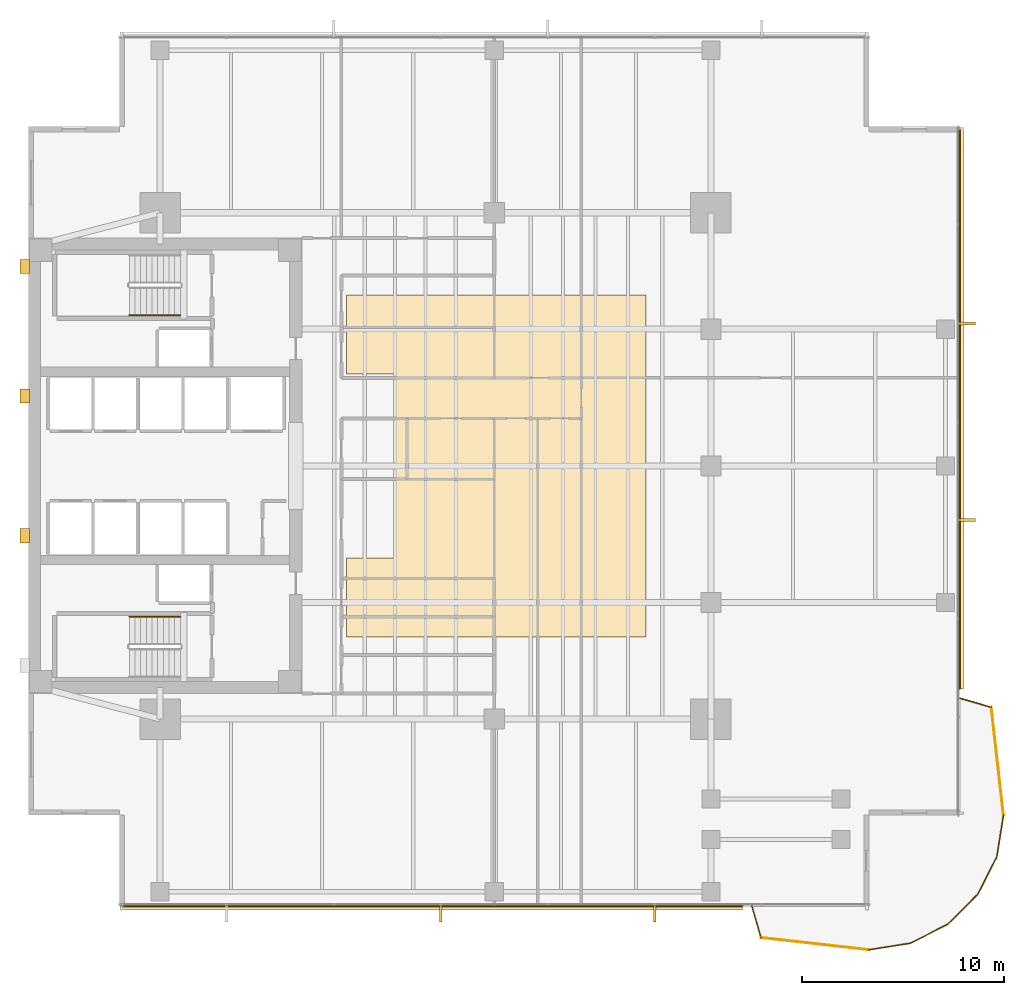
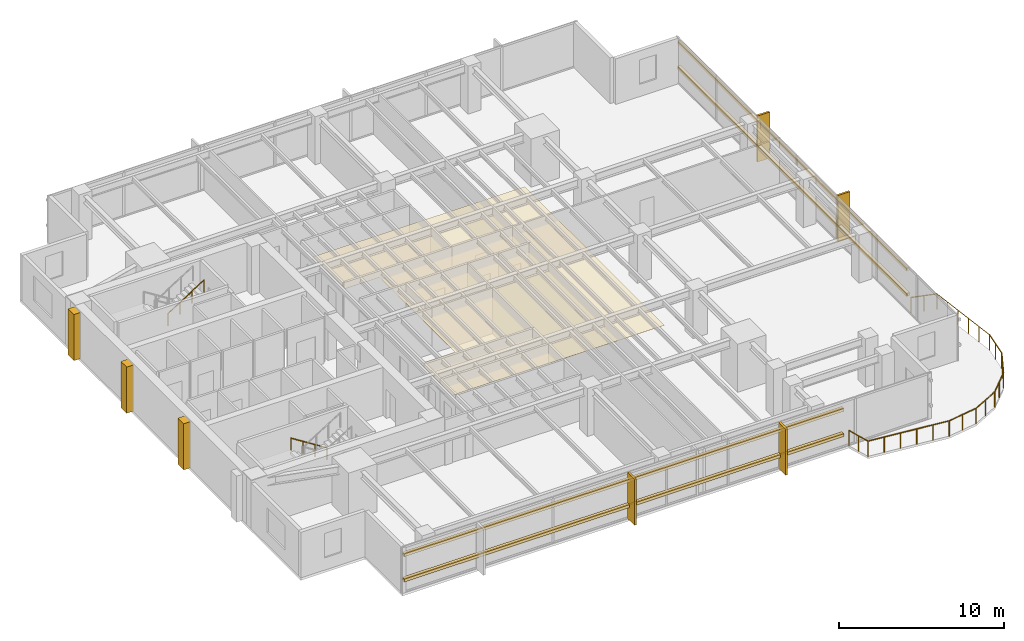
# One storey, part 12 of 14: 12 coverings, 11 railings, 4 shading devices.
"""IFC4 building model written with IfcOpenShell, lengths in metres."""

from ifc_helpers import new_model, si_unit, direction, frame, origin, origin_2d, place, context, subcontext, project, spatial, polyline, rectangle, circle, outline, extrude, material, layer, layer_set, material_profile, profile_set, type_object, element, save


model = new_model("IFC4")

# Units and contexts
model_context = context("Model", 3, precision=1e-05, world=origin(), true_north=direction((0.0, 1.0)))
body_context = subcontext(model_context, "Body", "Model", "MODEL_VIEW")
ifc_project = project(units=[si_unit("LENGTHUNIT", "METRE"), si_unit("AREAUNIT", "SQUARE_METRE"), si_unit("VOLUMEUNIT", "CUBIC_METRE"), si_unit("PLANEANGLEUNIT", "RADIAN"), si_unit("MASSUNIT", "GRAM", prefix="KILO")], contexts=[model_context])

# Site, building, storey
site_placement = place(None, origin())
site = spatial("IfcSite", under=ifc_project, at=site_placement, CompositionType="ELEMENT")
building_placement = place(site_placement, origin())
building = spatial("IfcBuilding", under=site, at=building_placement, Name="Kinhvarn Gate Tower", CompositionType="ELEMENT")
storey_placement = place(building_placement, frame((0.0, 0.0, 162.60009765625)))
storey = spatial("IfcBuildingStorey", under=building, at=storey_placement, Name="L43", CompositionType="ELEMENT", Elevation=162.60009765625)

# Coverings
ifc_material_1 = material(Name="Fired architectural terracotta", Category="masonry")
ifc_layer_1 = layer(ifc_material_1, 0.239990234375)
ifc_layer_set_1 = layer_set([ifc_layer_1], Name="Fired architectural terracotta")
covering_type_1 = type_object("IfcCoveringType", Name="COV-BAG-220", PredefinedType="CLADDING", material=ifc_layer_set_1)
for number, where, name in (
    (1, (0.0, 0.0, 0.93994140625), "Terracotta Horizontal Sunscreen Band TBG-220 (L43)"),
    (2, (0.0, 0.0, 2.809814453125), "Terracotta Horizontal Sunscreen Band TBG-220 (L43)"),
):
    element("IfcCovering", number, at=place(storey_placement, frame(where)), inside=storey, type_object=covering_type_1, Name=name, PredefinedType="CLADDING", context=body_context, shape_type="SweptSolid", body=[
        extrude(outline(polyline([(9.0400390625, 3.570068359375), (39.77099609375, 3.570068359375), (39.77099609375, 3.330078125), (9.0400390625, 3.330078125), (9.0400390625, 3.570068359375)])), origin(), (0.0, 0.0, 1.0), 0.219970703125),
    ])
for number, where, name in (
    (3, (0.0, 0.0, 0.93994140625), "Terracotta Horizontal Sunscreen Band TBG-220 (L43)"),
    (4, (0.0, 0.0, 2.809814453125), "Terracotta Horizontal Sunscreen Band TBG-220 (L43)"),
):
    element("IfcCovering", number, at=place(storey_placement, frame(where)), inside=storey, type_object=covering_type_1, Name=name, PredefinedType="CLADDING", context=body_context, shape_type="SweptSolid", body=[
        extrude(outline(polyline([(50.429931640625, 14.22900390625), (50.429931640625, 41.9599609375), (50.669921875, 41.9599609375), (50.669921875, 14.22900390625), (50.429931640625, 14.22900390625)])), origin(), (0.0, 0.0, 1.0), 0.219970703125),
    ])
ifc_material_2 = material(Name="Mineral-fibre acoustic ceiling tile")
ifc_layer_2 = layer(ifc_material_2, 0.02001953125)
ifc_layer_set_2 = layer_set([ifc_layer_2], Name="Mineral-fibre acoustic ceiling tile")
covering_type_2 = type_object("IfcCoveringType", Name="COV-CEIL-20", PredefinedType="CEILING", material=ifc_layer_set_2)
covering_1_placement = place(storey_placement, frame((0.0, 0.0, 2.64990234375)))
element("IfcCovering", 5, at=covering_1_placement, inside=storey, type_object=covering_type_2, Name="Suspended Acoustic Ceiling Tile (L43-1)", PredefinedType="CEILING", context=body_context, shape_type="SweptSolid", body=[
    extrude(outline(polyline([(35.0, 33.699951171875), (35.0, 16.800048828125), (20.199951171875, 16.800048828125), (20.199951171875, 20.699951171875), (22.60009765625, 20.699951171875), (22.60009765625, 29.800048828125), (20.199951171875, 29.800048828125), (20.199951171875, 33.699951171875), (35.0, 33.699951171875)])), origin(), (0.0, 0.0, 1.0), 0.02001953125),
])
ifc_layer_3 = layer(ifc_material_1, 0.139892578125)
ifc_layer_set_3 = layer_set([ifc_layer_3], Name="Fired architectural terracotta")
covering_type_3 = type_object("IfcCoveringType", Name="COV-FIN-850", PredefinedType="CLADDING", material=ifc_layer_set_3)
covering_2_placement = place(storey_placement, frame((0.0, 0.0, -0.02001953125)))
element("IfcCovering", 6, at=covering_2_placement, inside=storey, type_object=covering_type_3, Name="Vertical Terracotta Expressive Fin TFN-850 (L43)", PredefinedType="CLADDING", context=body_context, shape_type="SweptSolid", body=[
    extrude(outline(polyline([(24.787109375, 3.580078125), (24.927001953125, 3.580078125), (24.927001953125, 2.72998046875), (24.787109375, 2.72998046875), (24.787109375, 3.580078125)])), origin(), (0.0, 0.0, 1.0), 3.409912109375),
])
covering_3_placement = place(storey_placement, frame((0.0, 0.0, -0.02001953125)))
element("IfcCovering", 7, at=covering_3_placement, inside=storey, type_object=covering_type_3, Name="Vertical Terracotta Expressive Fin TFN-850 (L43)", PredefinedType="CLADDING", context=body_context, shape_type="SweptSolid", body=[
    extrude(outline(polyline([(35.358642578125, 3.580078125), (35.49853515625, 3.580078125), (35.49853515625, 2.72998046875), (35.358642578125, 2.72998046875), (35.358642578125, 3.580078125)])), origin(), (0.0, 0.0, 1.0), 3.409912109375),
])
covering_4_placement = place(storey_placement, frame((0.0, 0.0, -0.02001953125)))
element("IfcCovering", 8, at=covering_4_placement, inside=storey, type_object=covering_type_3, Name="Vertical Terracotta Expressive Fin TFN-850 (L43)", PredefinedType="CLADDING", context=body_context, shape_type="SweptSolid", body=[
    extrude(outline(polyline([(50.419921875, 22.50146484375), (50.419921875, 22.641357421875), (51.27001953125, 22.641357421875), (51.27001953125, 22.50146484375), (50.419921875, 22.50146484375)])), origin(), (0.0, 0.0, 1.0), 3.409912109375),
])
covering_5_placement = place(storey_placement, frame((0.0, 0.0, -0.02001953125)))
element("IfcCovering", 9, at=covering_5_placement, inside=storey, type_object=covering_type_3, Name="Vertical Terracotta Expressive Fin TFN-850 (L43)", PredefinedType="CLADDING", context=body_context, shape_type="SweptSolid", body=[
    extrude(outline(polyline([(50.419921875, 32.2158203125), (50.419921875, 32.355712890625), (51.27001953125, 32.355712890625), (51.27001953125, 32.2158203125), (50.419921875, 32.2158203125)])), origin(), (0.0, 0.0, 1.0), 3.409912109375),
])
ifc_material_3 = material(Name="Precast white architectural concrete C40/50", Category="concrete")
ifc_layer_4 = layer(ifc_material_3, 0.47998046875)
ifc_layer_set_4 = layer_set([ifc_layer_4], Name="Precast white architectural concrete C40/50")
covering_type_4 = type_object("IfcCoveringType", Name="COV-RIB-450", PredefinedType="CLADDING", material=ifc_layer_set_4)
covering_6_placement = place(storey_placement, frame((0.0, 0.0, -0.02001953125)))
element("IfcCovering", 10, at=covering_6_placement, inside=storey, type_object=covering_type_4, Name="West Core Sculptural Concrete Relief Rib CRB-450 (L43)", PredefinedType="CLADDING", context=body_context, shape_type="SweptSolid", body=[
    extrude(outline(polyline([(4.080078125, 21.449951171875), (4.56005859375, 21.449951171875), (4.56005859375, 22.14990234375), (4.080078125, 22.14990234375), (4.080078125, 21.449951171875)])), origin(), (0.0, 0.0, 1.0), 3.409912109375),
])
covering_7_placement = place(storey_placement, frame((0.0, 0.0, -0.02001953125)))
element("IfcCovering", 11, at=covering_7_placement, inside=storey, type_object=covering_type_4, Name="West Core Sculptural Concrete Relief Rib CRB-450 (L43)", PredefinedType="CLADDING", context=body_context, shape_type="SweptSolid", body=[
    extrude(outline(polyline([(4.080078125, 28.35009765625), (4.56005859375, 28.35009765625), (4.56005859375, 29.050048828125), (4.080078125, 29.050048828125), (4.080078125, 28.35009765625)])), origin(), (0.0, 0.0, 1.0), 3.409912109375),
])
covering_8_placement = place(storey_placement, frame((0.0, 0.0, -0.02001953125)))
element("IfcCovering", 12, at=covering_8_placement, inside=storey, type_object=covering_type_4, Name="West Core Sculptural Concrete Relief Rib CRB-450 (L43)", PredefinedType="CLADDING", context=body_context, shape_type="SweptSolid", body=[
    extrude(outline(polyline([(4.080078125, 34.75), (4.56005859375, 34.75), (4.56005859375, 35.449951171875), (4.080078125, 35.449951171875), (4.080078125, 34.75)])), origin(), (0.0, 0.0, 1.0), 3.409912109375),
])

# Railings
ifc_material_4 = material(Name="Clear low-e double glazing", Category="glass")
railing_type_1 = type_object("IfcRailingType", Name="RL-BAL-1150", PredefinedType="BALUSTRADE", material=ifc_material_4)
railing_1_placement = place(storey_placement, frame((40.220947265625, 3.5, 0.0)))
element("IfcRailing", 13, at=railing_1_placement, inside=storey, type_object=railing_type_1, Name="S-Carve Balcony Guardrail Seg 1 (L43)", PredefinedType="BALUSTRADE", context=body_context, shape_type="SweptSolid", body=[
    extrude(circle(Radius=0.02392578125, at=origin_2d()), frame((0.0, 0.0, 1.1259765625), z_axis=(0.279098523132, -0.960262471612, 0.0), x_axis=(0.960262471612, 0.279098523132, 0.0)), (0.0, 0.0, 1.0), 1.612060546875),
    extrude(circle(Radius=0.02099609375, at=origin_2d()), origin(), (0.0, 0.0, 1.0), 1.101806640625),
    extrude(circle(Radius=0.02099609375, at=origin_2d()), frame((0.22509765625, -0.77392578125, 0.0)), (0.0, 0.0, 1.0), 1.101806640625),
    extrude(circle(Radius=0.02099609375, at=origin_2d()), frame((0.449951171875, -1.548095703125, 0.0)), (0.0, 0.0, 1.0), 1.101806640625),
])
railing_2_placement = place(storey_placement, frame((40.6708984375, 1.951904296875, 0.0)))
element("IfcRailing", 14, at=railing_2_placement, inside=storey, type_object=railing_type_1, Name="S-Carve Balcony Guardrail Seg 2 (L43)", PredefinedType="BALUSTRADE", context=body_context, shape_type="SweptSolid", body=[
    extrude(circle(Radius=0.02392578125, at=origin_2d()), frame((0.0, 0.0, 1.1259765625), z_axis=(0.993683940848, -0.112215086778, 0.0), x_axis=(0.112215086778, 0.993683940848, 0.0)), (0.0, 0.0, 1.0), 5.363037109375),
    extrude(circle(Radius=0.02099609375, at=origin_2d()), origin(), (0.0, 0.0, 1.0), 1.101806640625),
    extrude(circle(Radius=0.02099609375, at=origin_2d()), frame((1.06591796875, -0.120361328125, 0.0)), (0.0, 0.0, 1.0), 1.101806640625),
    extrude(circle(Radius=0.02099609375, at=origin_2d()), frame((2.131591796875, -0.24072265625, 0.0)), (0.0, 0.0, 1.0), 1.101806640625),
    extrude(circle(Radius=0.02099609375, at=origin_2d()), frame((3.197509765625, -0.361083984375, 0.0)), (0.0, 0.0, 1.0), 1.101806640625),
    extrude(circle(Radius=0.02099609375, at=origin_2d()), frame((4.26318359375, -0.4814453125, 0.0)), (0.0, 0.0, 1.0), 1.101806640625),
    extrude(circle(Radius=0.02099609375, at=origin_2d()), frame((5.3291015625, -0.601806640625, 0.0)), (0.0, 0.0, 1.0), 1.101806640625),
])
railing_3_placement = place(storey_placement, frame((46.0, 1.35009765625, 0.0)))
element("IfcRailing", 15, at=railing_3_placement, inside=storey, type_object=railing_type_1, Name="S-Carve Balcony Guardrail Seg 3 (L43)", PredefinedType="BALUSTRADE", context=body_context, shape_type="SweptSolid", body=[
    extrude(circle(Radius=0.02392578125, at=origin_2d()), frame((0.0, 0.0, 1.1259765625), z_axis=(0.987690549443, 0.156420518285, 0.0), x_axis=(-0.156420518285, 0.987690549443, 0.0)), (0.0, 0.0, 1.0), 2.08056640625),
    extrude(circle(Radius=0.02099609375, at=origin_2d()), origin(), (0.0, 0.0, 1.0), 1.101806640625),
    extrude(circle(Radius=0.02099609375, at=origin_2d()), frame((1.02734375, 0.16259765625, 0.0)), (0.0, 0.0, 1.0), 1.101806640625),
    extrude(circle(Radius=0.02099609375, at=origin_2d()), frame((2.054931640625, 0.325439453125, 0.0)), (0.0, 0.0, 1.0), 1.101806640625),
])
railing_4_placement = place(storey_placement, frame((48.054931640625, 1.675537109375, 0.0)))
element("IfcRailing", 16, at=railing_4_placement, inside=storey, type_object=railing_type_1, Name="S-Carve Balcony Guardrail Seg 4 (L43)", PredefinedType="BALUSTRADE", context=body_context, shape_type="SweptSolid", body=[
    extrude(circle(Radius=0.02392578125, at=origin_2d()), frame((0.0, 0.0, 1.1259765625), z_axis=(0.890998299828, 0.454006640594, 0.0), x_axis=(-0.454006640594, 0.890998299828, 0.0)), (0.0, 0.0, 1.0), 2.08056640625),
    extrude(circle(Radius=0.02099609375, at=origin_2d()), origin(), (0.0, 0.0, 1.0), 1.101806640625),
    extrude(circle(Radius=0.02099609375, at=origin_2d()), frame((0.9267578125, 0.47216796875, 0.0)), (0.0, 0.0, 1.0), 1.101806640625),
    extrude(circle(Radius=0.02099609375, at=origin_2d()), frame((1.853759765625, 0.944580078125, 0.0)), (0.0, 0.0, 1.0), 1.101806640625),
])
railing_5_placement = place(storey_placement, frame((49.90869140625, 2.6201171875, 0.0)))
element("IfcRailing", 17, at=railing_5_placement, inside=storey, type_object=railing_type_1, Name="S-Carve Balcony Guardrail Seg 5 (L43)", PredefinedType="BALUSTRADE", context=body_context, shape_type="SweptSolid", body=[
    extrude(circle(Radius=0.02392578125, at=origin_2d()), frame((0.0, 0.0, 1.1259765625), z_axis=(0.707106781187, 0.707106781187, 0.0), x_axis=(-0.707106781187, 0.707106781187, 0.0)), (0.0, 0.0, 1.0), 2.08056640625),
    extrude(circle(Radius=0.02099609375, at=origin_2d()), origin(), (0.0, 0.0, 1.0), 1.101806640625),
    extrude(circle(Radius=0.02099609375, at=origin_2d()), frame((0.735595703125, 0.735595703125, 0.0)), (0.0, 0.0, 1.0), 1.101806640625),
    extrude(circle(Radius=0.02099609375, at=origin_2d()), frame((1.47119140625, 1.47119140625, 0.0)), (0.0, 0.0, 1.0), 1.101806640625),
])
railing_6_placement = place(storey_placement, frame((51.3798828125, 4.09130859375, 0.0)))
element("IfcRailing", 18, at=railing_6_placement, inside=storey, type_object=railing_type_1, Name="S-Carve Balcony Guardrail Seg 6 (L43)", PredefinedType="BALUSTRADE", context=body_context, shape_type="SweptSolid", body=[
    extrude(circle(Radius=0.02392578125, at=origin_2d()), frame((0.0, 0.0, 1.1259765625), z_axis=(0.454006640594, 0.890998299828, 0.0), x_axis=(-0.890998299828, 0.454006640594, 0.0)), (0.0, 0.0, 1.0), 2.08056640625),
    extrude(circle(Radius=0.02099609375, at=origin_2d()), origin(), (0.0, 0.0, 1.0), 1.101806640625),
    extrude(circle(Radius=0.02099609375, at=origin_2d()), frame((0.47216796875, 0.9267578125, 0.0)), (0.0, 0.0, 1.0), 1.101806640625),
    extrude(circle(Radius=0.02099609375, at=origin_2d()), frame((0.944580078125, 1.853759765625, 0.0)), (0.0, 0.0, 1.0), 1.101806640625),
])
railing_7_placement = place(storey_placement, frame((52.324462890625, 5.945068359375, 0.0)))
element("IfcRailing", 19, at=railing_7_placement, inside=storey, type_object=railing_type_1, Name="S-Carve Balcony Guardrail Seg 7 (L43)", PredefinedType="BALUSTRADE", context=body_context, shape_type="SweptSolid", body=[
    extrude(circle(Radius=0.02392578125, at=origin_2d()), frame((0.0, 0.0, 1.1259765625), z_axis=(0.156420518285, 0.987690549443, 0.0), x_axis=(-0.987690549443, 0.156420518285, 0.0)), (0.0, 0.0, 1.0), 2.08056640625),
    extrude(circle(Radius=0.02099609375, at=origin_2d()), origin(), (0.0, 0.0, 1.0), 1.101806640625),
    extrude(circle(Radius=0.02099609375, at=origin_2d()), frame((0.16259765625, 1.02734375, 0.0)), (0.0, 0.0, 1.0), 1.101806640625),
    extrude(circle(Radius=0.02099609375, at=origin_2d()), frame((0.325439453125, 2.054931640625, 0.0)), (0.0, 0.0, 1.0), 1.101806640625),
])
railing_8_placement = place(storey_placement, frame((52.64990234375, 8.0, 0.0)))
element("IfcRailing", 20, at=railing_8_placement, inside=storey, type_object=railing_type_1, Name="S-Carve Balcony Guardrail Seg 8 (L43)", PredefinedType="BALUSTRADE", context=body_context, shape_type="SweptSolid", body=[
    extrude(circle(Radius=0.02392578125, at=origin_2d()), frame((0.0, 0.0, 1.1259765625), z_axis=(-0.112215086778, 0.993683940848, 0.0), x_axis=(-0.993683940848, -0.112215086778, 0.0)), (0.0, 0.0, 1.0), 5.363037109375),
    extrude(circle(Radius=0.02099609375, at=origin_2d()), origin(), (0.0, 0.0, 1.0), 1.101806640625),
    extrude(circle(Radius=0.02099609375, at=origin_2d()), frame((-0.120361328125, 1.06591796875, 0.0)), (0.0, 0.0, 1.0), 1.101806640625),
    extrude(circle(Radius=0.02099609375, at=origin_2d()), frame((-0.24072265625, 2.131591796875, 0.0)), (0.0, 0.0, 1.0), 1.101806640625),
    extrude(circle(Radius=0.02099609375, at=origin_2d()), frame((-0.361083984375, 3.197509765625, 0.0)), (0.0, 0.0, 1.0), 1.101806640625),
    extrude(circle(Radius=0.02099609375, at=origin_2d()), frame((-0.4814453125, 4.26318359375, 0.0)), (0.0, 0.0, 1.0), 1.101806640625),
    extrude(circle(Radius=0.02099609375, at=origin_2d()), frame((-0.601806640625, 5.3291015625, 0.0)), (0.0, 0.0, 1.0), 1.101806640625),
])
railing_9_placement = place(storey_placement, frame((52.048095703125, 13.3291015625, 0.0)))
element("IfcRailing", 21, at=railing_9_placement, inside=storey, type_object=railing_type_1, Name="S-Carve Balcony Guardrail Seg 9 (L43)", PredefinedType="BALUSTRADE", context=body_context, shape_type="SweptSolid", body=[
    extrude(circle(Radius=0.02392578125, at=origin_2d()), frame((0.0, 0.0, 1.1259765625), z_axis=(-0.960262471612, 0.279098523132, 0.0), x_axis=(-0.279098523132, -0.960262471612, 0.0)), (0.0, 0.0, 1.0), 1.612060546875),
    extrude(circle(Radius=0.02099609375, at=origin_2d()), origin(), (0.0, 0.0, 1.0), 1.101806640625),
    extrude(circle(Radius=0.02099609375, at=origin_2d()), frame((-0.77392578125, 0.22509765625, 0.0)), (0.0, 0.0, 1.0), 1.101806640625),
    extrude(circle(Radius=0.02099609375, at=origin_2d()), frame((-1.548095703125, 0.449951171875, 0.0)), (0.0, 0.0, 1.0), 1.101806640625),
])
ifc_material_5 = material(Name="Steel S355", Category="steel")
railing_type_2 = type_object("IfcRailingType", Name="RL-ST-HND", PredefinedType="HANDRAIL", material=ifc_material_5)
railing_10_placement = place(storey_placement, frame((12.0, 17.800048828125, 0.177490234375)))
element("IfcRailing", 22, at=railing_10_placement, inside=storey, type_object=railing_type_2, Name="L43 ST1 stair handrail 1", PredefinedType="HANDRAIL", context=body_context, shape_type="SweptSolid", body=[
    extrude(circle(Radius=0.02392578125, at=origin_2d()), frame((0.0, 0.0, 0.8759765625), z_axis=(-0.84460694969, 0.0, 0.535386869969), x_axis=(0.0, -1.0, 0.0)), (0.0, 0.0, 1.0), 2.983642578125),
    extrude(circle(Radius=0.02099609375, at=origin_2d()), origin(), (0.0, 0.0, 1.0), 0.851806640625),
    extrude(circle(Radius=0.02099609375, at=origin_2d()), frame((-0.840087890625, 0.0, 0.532470703125)), (0.0, 0.0, 1.0), 0.851806640625),
    extrude(circle(Radius=0.02099609375, at=origin_2d()), frame((-1.679931640625, 0.0, 1.06494140625)), (0.0, 0.0, 1.0), 0.851806640625),
    extrude(circle(Radius=0.02099609375, at=origin_2d()), frame((-2.52001953125, 0.0, 1.597412109375)), (0.0, 0.0, 1.0), 0.851806640625),
])
railing_11_placement = place(storey_placement, frame((9.47998046875, 32.699951171875, 1.952392578125)))
element("IfcRailing", 23, at=railing_11_placement, inside=storey, type_object=railing_type_2, Name="L43 ST2 stair handrail 2", PredefinedType="HANDRAIL", context=body_context, shape_type="SweptSolid", body=[
    extrude(circle(Radius=0.02392578125, at=origin_2d()), frame((0.0, 0.0, 0.8759765625), z_axis=(0.84460694969, 0.0, 0.535386869969), x_axis=(0.0, 1.0, 0.0)), (0.0, 0.0, 1.0), 2.983642578125),
    extrude(circle(Radius=0.02099609375, at=origin_2d()), origin(), (0.0, 0.0, 1.0), 0.851806640625),
    extrude(circle(Radius=0.02099609375, at=origin_2d()), frame((0.840087890625, 0.0, 0.532470703125)), (0.0, 0.0, 1.0), 0.851806640625),
    extrude(circle(Radius=0.02099609375, at=origin_2d()), frame((1.679931640625, 0.0, 1.06494140625)), (0.0, 0.0, 1.0), 0.851806640625),
    extrude(circle(Radius=0.02099609375, at=origin_2d()), frame((2.52001953125, 0.0, 1.597412109375)), (0.0, 0.0, 1.0), 0.851806640625),
])

# Shading devices
ifc_material_profile = material_profile(ifc_material_1, rectangle(XDim=0.050048828125, YDim=0.1201171875, at=origin_2d()), Name="TC 50x120")
ifc_profile_set = profile_set([ifc_material_profile], Name="Fired architectural terracotta")
shading_device_type = type_object("IfcShadingDeviceType", Name="SHD-BAG-140", PredefinedType="USERDEFINED", material=ifc_profile_set)
for number, where, z_axis, x_axis, name in (
    (24, (9.0400390625, 3.5, 1.0498046875), (1.0, 0.0, 0.0), (0.0, 1.0, 0.0), "Upper Tower Terracotta Baguette Screen Rod 50x120 mm (L43)"),
    (25, (9.0400390625, 3.5, 2.919921875), (1.0, 0.0, 0.0), (0.0, 1.0, 0.0), "Upper Tower Terracotta Baguette Screen Rod 50x120 mm (L43)"),
):
    element("IfcShadingDevice", number, at=place(storey_placement, frame(where, z_axis=z_axis, x_axis=x_axis)), inside=storey, type_object=shading_device_type, Name=name, ObjectType="BAGUETTE", PredefinedType="USERDEFINED", context=body_context, shape_type="SweptSolid", body=[
        extrude(rectangle(XDim=0.050048828125, YDim=0.1201171875, at=origin_2d()), origin(), (0.0, 0.0, 1.0), 30.73095703125),
    ])
for number, where, z_axis, x_axis, name in (
    (26, (50.5, 14.22900390625, 1.0498046875), (0.0, 1.0, 0.0), (-1.0, 0.0, 0.0), "Upper Tower Terracotta Baguette Screen Rod 50x120 mm (L43)"),
    (27, (50.5, 14.22900390625, 2.919921875), (0.0, 1.0, 0.0), (-1.0, 0.0, 0.0), "Upper Tower Terracotta Baguette Screen Rod 50x120 mm (L43)"),
):
    element("IfcShadingDevice", number, at=place(storey_placement, frame(where, z_axis=z_axis, x_axis=x_axis)), inside=storey, type_object=shading_device_type, Name=name, ObjectType="BAGUETTE", PredefinedType="USERDEFINED", context=body_context, shape_type="SweptSolid", body=[
        extrude(rectangle(XDim=0.050048828125, YDim=0.1201171875, at=origin_2d()), origin(), (0.0, 0.0, 1.0), 27.73095703125),
    ])

save(model, "model.ifc")
